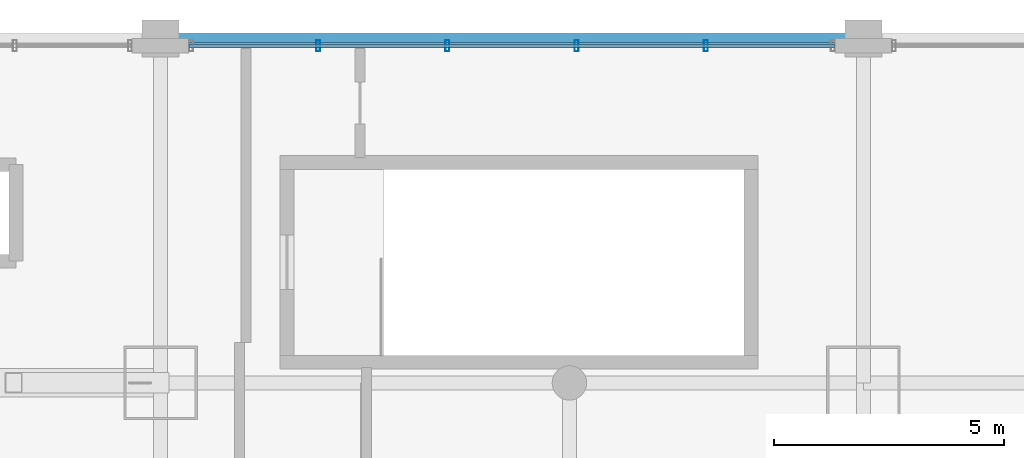
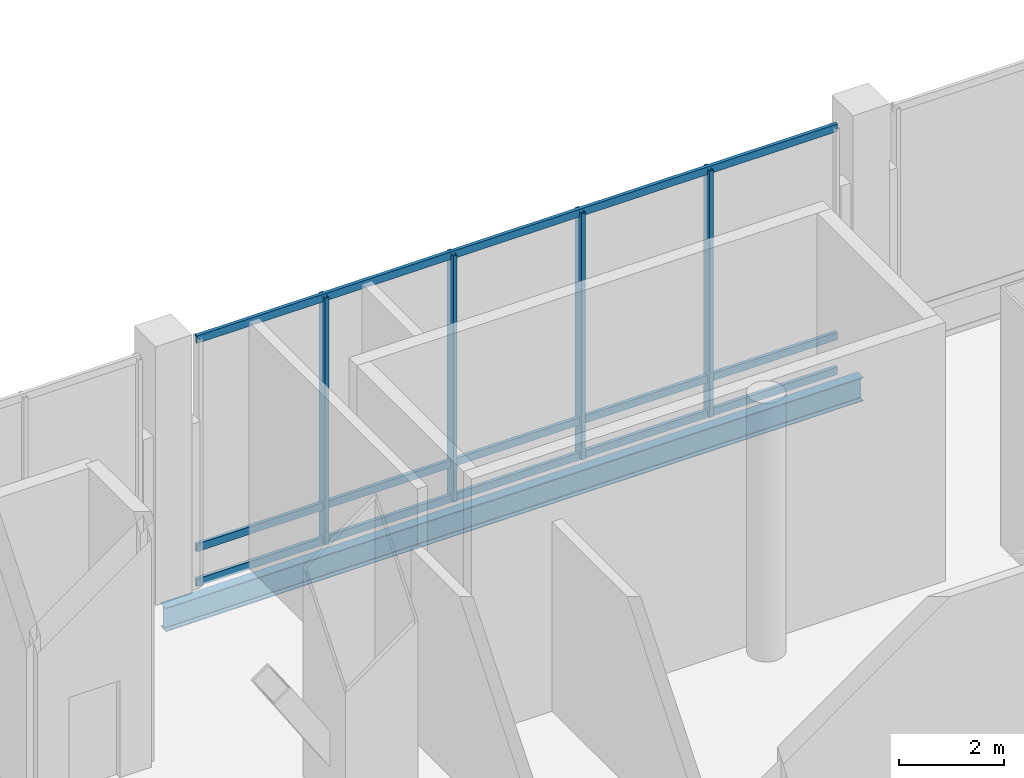
# One storey, part 14 of 38: 7 members, 1 beam, 1 element without a shape of its own.
"""IFC4 building model written with IfcOpenShell, lengths in metres."""

from ifc_helpers import new_model, si_unit, direction, frame, origin, origin_2d, place, context, subcontext, project, spatial, hollow_rectangle, i_section, extrude, material, material_profile, profile_set, type_object, element, aggregate, save


model = new_model("IFC4")

# Units and contexts
model_context = context("Model", 3, precision=1e-05, world=origin(), true_north=direction((0.0, 1.0)))
body_context = subcontext(model_context, "Body", "Model", "MODEL_VIEW")
ifc_project = project(units=[si_unit("LENGTHUNIT", "METRE"), si_unit("AREAUNIT", "SQUARE_METRE"), si_unit("VOLUMEUNIT", "CUBIC_METRE"), si_unit("PLANEANGLEUNIT", "RADIAN"), si_unit("MASSUNIT", "GRAM", prefix="KILO")], contexts=[model_context])

# Site, building, storey
site_placement = place(None, origin())
site = spatial("IfcSite", under=ifc_project, at=site_placement, CompositionType="ELEMENT")
building_placement = place(site_placement, origin())
building = spatial("IfcBuilding", under=site, at=building_placement, Name="Punatoya Terracotta Tower", CompositionType="ELEMENT")
storey_placement = place(building_placement, frame((0.0, 0.0, 22.199951171875)))
storey = spatial("IfcBuildingStorey", under=building, at=storey_placement, Name="L04", CompositionType="ELEMENT", Elevation=22.199951171875)

# Beam
ifc_material_1 = material(Name="Steel S355", Category="steel")
ifc_material_profile_1 = material_profile(ifc_material_1, i_section(OverallWidth=0.2099609375, OverallDepth=0.550048828125, WebThickness=0.010986328125, FlangeThickness=0.01708984375, FilletRadius=0.01806640625, at=origin_2d()))
ifc_profile_set_1 = profile_set([ifc_material_profile_1], Name="Steel S355")
beam_type = type_object("IfcBeamType", Name="BM-SPN-550", PredefinedType="SPANDREL", material=ifc_profile_set_1)
beam_placement = place(storey_placement, frame((-19.10009765625, 25.0, -0.655029296875), z_axis=(1.0, 0.0, 0.0), x_axis=(0.0, 1.0, 0.0)))
element("IfcBeam", 1, at=beam_placement, inside=storey, type_object=beam_type, Name="BM-L04-MIDH-1", PredefinedType="SPANDREL", context=body_context, shape_type="SweptSolid", body=[
    extrude(i_section(OverallWidth=0.2099609375, OverallDepth=0.550048828125, WebThickness=0.010986328125, FlangeThickness=0.01708984375, FilletRadius=0.01806640625, at=origin_2d()), origin(), (0.0, 0.0, 1.0), 15.300048828125),
])

# Curtain wall, members
ifc_material_2 = material(Name="Aluminium 6063-T6 + Double Low-E Glass", Category="aluminium")
curtain_wall_type = type_object("IfcCurtainWallType", Name="CW-POD", PredefinedType="NOTDEFINED", material=ifc_material_2)
curtain_wall_placement = place(storey_placement, origin())
curtain_wall = element("IfcCurtainWall", 2, at=curtain_wall_placement, inside=storey, type_object=curtain_wall_type, Name="L04 Curtain Wall CWP-L04-N3", PredefinedType="NOTDEFINED")
ifc_material_3 = material(Name="Aluminium 6063-T6", Category="aluminium")
ifc_material_profile_2 = material_profile(ifc_material_3, hollow_rectangle(XDim=0.0849609375, YDim=0.239990234375, WallThickness=0.0048828125, at=origin_2d()))
ifc_profile_set_2 = profile_set([ifc_material_profile_2], Name="Aluminium 6063-T6")
member_type_1 = type_object("IfcMemberType", Name="CW-MUL-POD", PredefinedType="MULLION", material=ifc_profile_set_2)
member_1_placement = place(storey_placement, frame((-7.23193359375, 24.840087890625, 0.0), z_axis=(0.0, 0.0, 1.0), x_axis=(1.0, 0.0, 0.0)))
member_1 = element("IfcMember", 3, at=member_1_placement, type_object=member_type_1, Name="CWP-L04-N3 Mullion 01", PredefinedType="MULLION", context=body_context, shape_type="SweptSolid", body=[
    extrude(hollow_rectangle(XDim=0.0849609375, YDim=0.239990234375, WallThickness=0.0048828125, at=origin_2d()), origin(), (0.0, 0.0, 1.0), 5.719970703125),
])
member_2_placement = place(storey_placement, frame((-10.0439453125, 24.840087890625, 0.0), z_axis=(0.0, 0.0, 1.0), x_axis=(1.0, 0.0, 0.0)))
member_2 = element("IfcMember", 4, at=member_2_placement, type_object=member_type_1, Name="CWP-L04-N3 Mullion 02", PredefinedType="MULLION", context=body_context, shape_type="SweptSolid", body=[
    extrude(hollow_rectangle(XDim=0.0849609375, YDim=0.239990234375, WallThickness=0.0048828125, at=origin_2d()), origin(), (0.0, 0.0, 1.0), 5.719970703125),
])
member_3_placement = place(storey_placement, frame((-12.85595703125, 24.840087890625, 0.0), z_axis=(0.0, 0.0, 1.0), x_axis=(1.0, 0.0, 0.0)))
member_3 = element("IfcMember", 5, at=member_3_placement, type_object=member_type_1, Name="CWP-L04-N3 Mullion 03", PredefinedType="MULLION", context=body_context, shape_type="SweptSolid", body=[
    extrude(hollow_rectangle(XDim=0.0849609375, YDim=0.239990234375, WallThickness=0.0048828125, at=origin_2d()), origin(), (0.0, 0.0, 1.0), 5.719970703125),
])
member_4_placement = place(storey_placement, frame((-15.66796875, 24.840087890625, 0.0), z_axis=(0.0, 0.0, 1.0), x_axis=(1.0, 0.0, 0.0)))
member_4 = element("IfcMember", 6, at=member_4_placement, type_object=member_type_1, Name="CWP-L04-N3 Mullion 04", PredefinedType="MULLION", context=body_context, shape_type="SweptSolid", body=[
    extrude(hollow_rectangle(XDim=0.0849609375, YDim=0.239990234375, WallThickness=0.0048828125, at=origin_2d()), origin(), (0.0, 0.0, 1.0), 5.719970703125),
])
ifc_material_profile_3 = material_profile(ifc_material_3, hollow_rectangle(XDim=0.074951171875, YDim=0.175048828125, WallThickness=0.00439453125, at=origin_2d()))
ifc_profile_set_3 = profile_set([ifc_material_profile_3], Name="Aluminium 6063-T6")
member_type_2 = type_object("IfcMemberType", Name="CW-TRN-POD", PredefinedType="USERDEFINED", material=ifc_profile_set_3)
member_5_placement = place(storey_placement, frame((-4.419921875, 24.840087890625, 0.0400390625), z_axis=(-1.0, 0.0, 0.0), x_axis=(0.0, -1.0, 0.0)))
member_5 = element("IfcMember", 7, at=member_5_placement, type_object=member_type_2, Name="CWP-L04-N3 Transom 1", ObjectType="TRANSOM", PredefinedType="USERDEFINED", context=body_context, shape_type="SweptSolid", body=[
    extrude(hollow_rectangle(XDim=0.074951171875, YDim=0.175048828125, WallThickness=0.00439453125, at=origin_2d()), origin(), (0.0, 0.0, 1.0), 14.06005859375),
])
member_6_placement = place(storey_placement, frame((-4.419921875, 24.840087890625, 0.85009765625), z_axis=(-1.0, 0.0, 0.0), x_axis=(0.0, -1.0, 0.0)))
member_6 = element("IfcMember", 8, at=member_6_placement, type_object=member_type_2, Name="CWP-L04-N3 Transom 2", ObjectType="TRANSOM", PredefinedType="USERDEFINED", context=body_context, shape_type="SweptSolid", body=[
    extrude(hollow_rectangle(XDim=0.074951171875, YDim=0.175048828125, WallThickness=0.00439453125, at=origin_2d()), origin(), (0.0, 0.0, 1.0), 14.06005859375),
])
member_7_placement = place(storey_placement, frame((-4.419921875, 24.840087890625, 5.679931640625), z_axis=(-1.0, 0.0, 0.0), x_axis=(0.0, -1.0, 0.0)))
member_7 = element("IfcMember", 9, at=member_7_placement, type_object=member_type_2, Name="CWP-L04-N3 Transom 3", ObjectType="TRANSOM", PredefinedType="USERDEFINED", context=body_context, shape_type="SweptSolid", body=[
    extrude(hollow_rectangle(XDim=0.074951171875, YDim=0.175048828125, WallThickness=0.00439453125, at=origin_2d()), origin(), (0.0, 0.0, 1.0), 14.06005859375),
])
aggregate(curtain_wall, [member_1, member_2, member_3, member_4, member_5, member_6, member_7])

save(model, "model.ifc")
